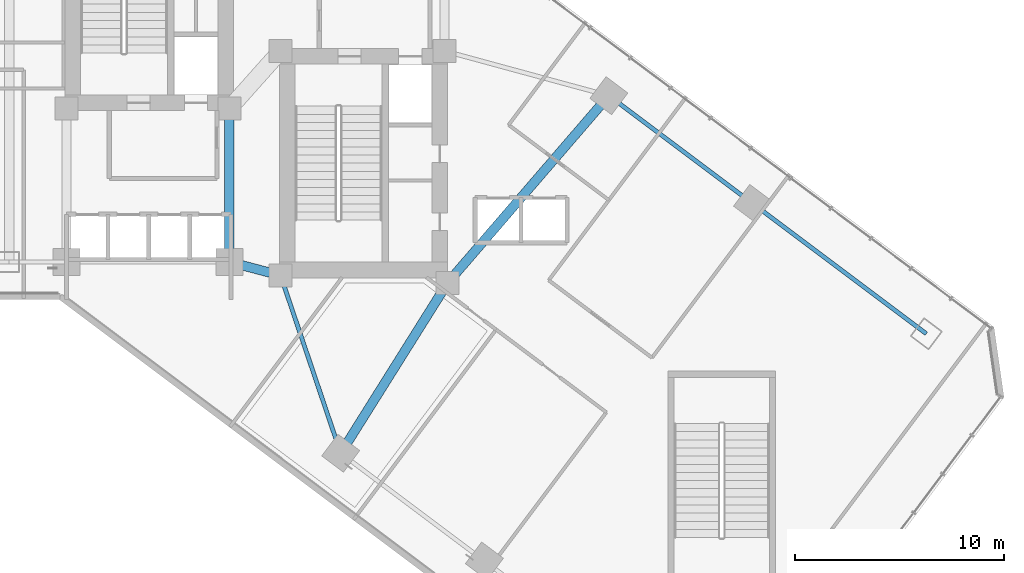
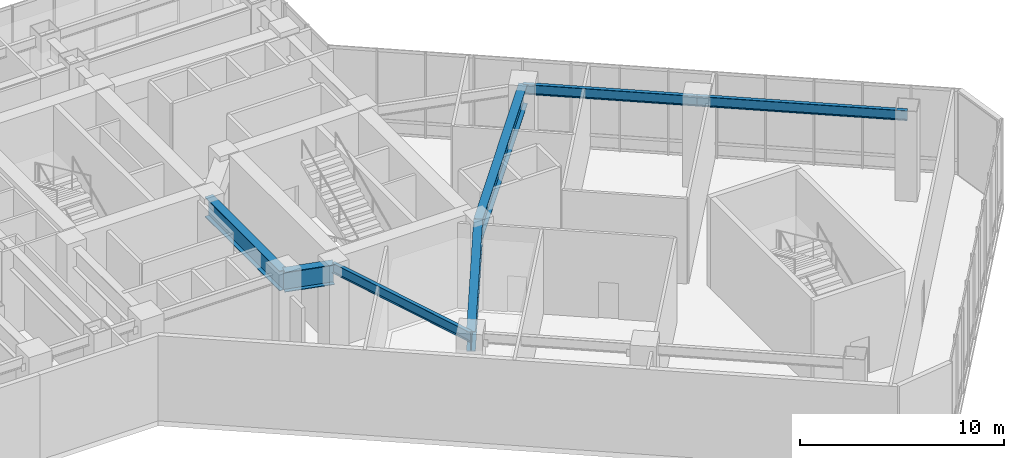
# One storey, part 6 of 35: 7 beams.
"""IFC4 building model written with IfcOpenShell, lengths in metres."""

from ifc_helpers import new_model, si_unit, direction, frame, origin, origin_2d, place, context, subcontext, project, spatial, i_section, extrude, material, material_profile, profile_set, type_object, element, save


model = new_model("IFC4")

# Units and contexts
model_context = context("Model", 3, precision=1e-05, world=origin(), true_north=direction((0.0, 1.0)))
body_context = subcontext(model_context, "Body", "Model", "MODEL_VIEW")
ifc_project = project(units=[si_unit("LENGTHUNIT", "METRE"), si_unit("AREAUNIT", "SQUARE_METRE"), si_unit("VOLUMEUNIT", "CUBIC_METRE"), si_unit("PLANEANGLEUNIT", "RADIAN"), si_unit("MASSUNIT", "GRAM", prefix="KILO")], contexts=[model_context])

# Site, building, storey
site_placement = place(None, origin())
site = spatial("IfcSite", under=ifc_project, at=site_placement, CompositionType="ELEMENT")
building_placement = place(site_placement, origin())
building = spatial("IfcBuilding", under=site, at=building_placement, Name="Hatsunagi Terrace Concourse", CompositionType="ELEMENT")
storey_placement = place(building_placement, frame((0.0, 0.0, 16.199951171875)))
storey = spatial("IfcBuildingStorey", under=building, at=storey_placement, Name="L04", CompositionType="ELEMENT", Elevation=16.199951171875)

# Beams
ifc_material_1 = material(Name="Steel SN490B", Category="steel")
ifc_material_profile_1 = material_profile(ifc_material_1, i_section(OverallWidth=0.199951171875, OverallDepth=0.60009765625, WebThickness=0.010986328125, FlangeThickness=0.01708984375, FilletRadius=0.01806640625, at=origin_2d()), Name="H-600x200x11x17")
ifc_profile_set_1 = profile_set([ifc_material_profile_1], Name="Steel SN490B")
beam_type_1 = type_object("IfcBeamType", Name="PerimeterSpandrel_H_600x200", PredefinedType="SPANDREL", material=ifc_profile_set_1)
beam_1_placement = place(storey_placement, frame((35.800048828125, 24.550048828125, 4.800048828125), z_axis=(0.320553412271, -0.947230441805, 0.0), x_axis=(0.947230441805, 0.320553412271, 0.0)))
element("IfcBeam", 1, at=beam_1_placement, inside=storey, type_object=beam_type_1, Name="Beam SP-01 BM-L04-SE-SW0", PredefinedType="SPANDREL", context=body_context, shape_type="SweptSolid", body=[
    extrude(i_section(OverallWidth=0.199951171875, OverallDepth=0.60009765625, WebThickness=0.010986328125, FlangeThickness=0.01708984375, FilletRadius=0.01806640625, at=origin_2d()), origin(), (0.0, 0.0, 1.0), 8.984130859375),
])
beam_2_placement = place(storey_placement, frame((51.52001953125, 33.159912109375, 4.800048828125), z_axis=(0.8, -0.6, 0.0), x_axis=(0.6, 0.8, 0.0)))
element("IfcBeam", 2, at=beam_2_placement, inside=storey, type_object=beam_type_1, Name="Beam SP-01 BM-L04-SE-NE2", PredefinedType="SPANDREL", context=body_context, shape_type="SweptSolid", body=[
    extrude(i_section(OverallWidth=0.199951171875, OverallDepth=0.60009765625, WebThickness=0.010986328125, FlangeThickness=0.01708984375, FilletRadius=0.01806640625, at=origin_2d()), origin(), (0.0, 0.0, 1.0), 8.599853515625),
])
beam_3_placement = place(storey_placement, frame((58.39990234375, 28.0, 4.800048828125), z_axis=(0.800002816985, -0.599996244001, 0.0), x_axis=(0.599996244001, 0.800002816985, 0.0)))
element("IfcBeam", 3, at=beam_3_placement, inside=storey, type_object=beam_type_1, Name="Beam SP-01 BM-L04-SE-NE3", PredefinedType="SPANDREL", context=body_context, shape_type="SweptSolid", body=[
    extrude(i_section(OverallWidth=0.199951171875, OverallDepth=0.60009765625, WebThickness=0.010986328125, FlangeThickness=0.01708984375, FilletRadius=0.01806640625, at=origin_2d()), origin(), (0.0, 0.0, 1.0), 10.400146484375),
])
ifc_material_2 = material(Name="Steel SN490B", Category="steel")
ifc_material_profile_2 = material_profile(ifc_material_2, i_section(OverallWidth=0.449951171875, OverallDepth=1.199951171875, WebThickness=0.02490234375, FlangeThickness=0.035888671875, at=origin_2d()), Name="BH-1200x450x25x36")
ifc_profile_set_2 = profile_set([ifc_material_profile_2], Name="Steel SN490B")
beam_type_2 = type_object("IfcBeamType", Name="PodiumHallGirder_BH_1200x450x25x36", PredefinedType="BEAM", material=ifc_profile_set_2)
beam_4_placement = place(storey_placement, frame((33.35009765625, 25.199951171875, 4.5), z_axis=(0.0, 1.0, 0.0), x_axis=(-1.0, 0.0, 0.0)))
element("IfcBeam", 4, at=beam_4_placement, inside=storey, type_object=beam_type_2, Name="Beam G-01 BM-L04-K2CA", PredefinedType="BEAM", context=body_context, shape_type="SweptSolid", body=[
    extrude(i_section(OverallWidth=0.449951171875, OverallDepth=1.199951171875, WebThickness=0.02490234375, FlangeThickness=0.035888671875, at=origin_2d()), origin(), (0.0, 0.0, 1.0), 7.35009765625),
])
beam_5_placement = place(storey_placement, frame((33.35009765625, 25.199951171875, 4.5), z_axis=(0.966569840116, -0.256403479262, 0.0), x_axis=(0.256403479262, 0.966569840116, 0.0)))
element("IfcBeam", 5, at=beam_5_placement, inside=storey, type_object=beam_type_2, Name="Beam G-01 BM-L04-K2CB", PredefinedType="BEAM", context=body_context, shape_type="SweptSolid", body=[
    extrude(i_section(OverallWidth=0.449951171875, OverallDepth=1.199951171875, WebThickness=0.02490234375, FlangeThickness=0.035888671875, at=origin_2d()), origin(), (0.0, 0.0, 1.0), 2.53466796875),
])
beam_6_placement = place(storey_placement, frame((38.679931640625, 16.0400390625, 4.5), z_axis=(0.531503907049, 0.847055840421, 0.0), x_axis=(-0.847055840421, 0.531503907049, 0.0)))
element("IfcBeam", 6, at=beam_6_placement, inside=storey, type_object=beam_type_2, Name="Beam G-01 BM-L04-SET-1A", PredefinedType="BEAM", context=body_context, shape_type="SweptSolid", body=[
    extrude(i_section(OverallWidth=0.449951171875, OverallDepth=1.199951171875, WebThickness=0.02490234375, FlangeThickness=0.035888671875, at=origin_2d()), origin(), (0.0, 0.0, 1.0), 9.63330078125),
])
beam_7_placement = place(storey_placement, frame((43.800048828125, 24.199951171875, 4.5), z_axis=(0.652739101421, 0.757582777969, 0.0), x_axis=(-0.757582777969, 0.652739101421, 0.0)))
element("IfcBeam", 7, at=beam_7_placement, inside=storey, type_object=beam_type_2, Name="Beam G-01 BM-L04-SET-1B", PredefinedType="BEAM", context=body_context, shape_type="SweptSolid", body=[
    extrude(i_section(OverallWidth=0.449951171875, OverallDepth=1.199951171875, WebThickness=0.02490234375, FlangeThickness=0.035888671875, at=origin_2d()), origin(), (0.0, 0.0, 1.0), 11.8271484375),
])

save(model, "model.ifc")
